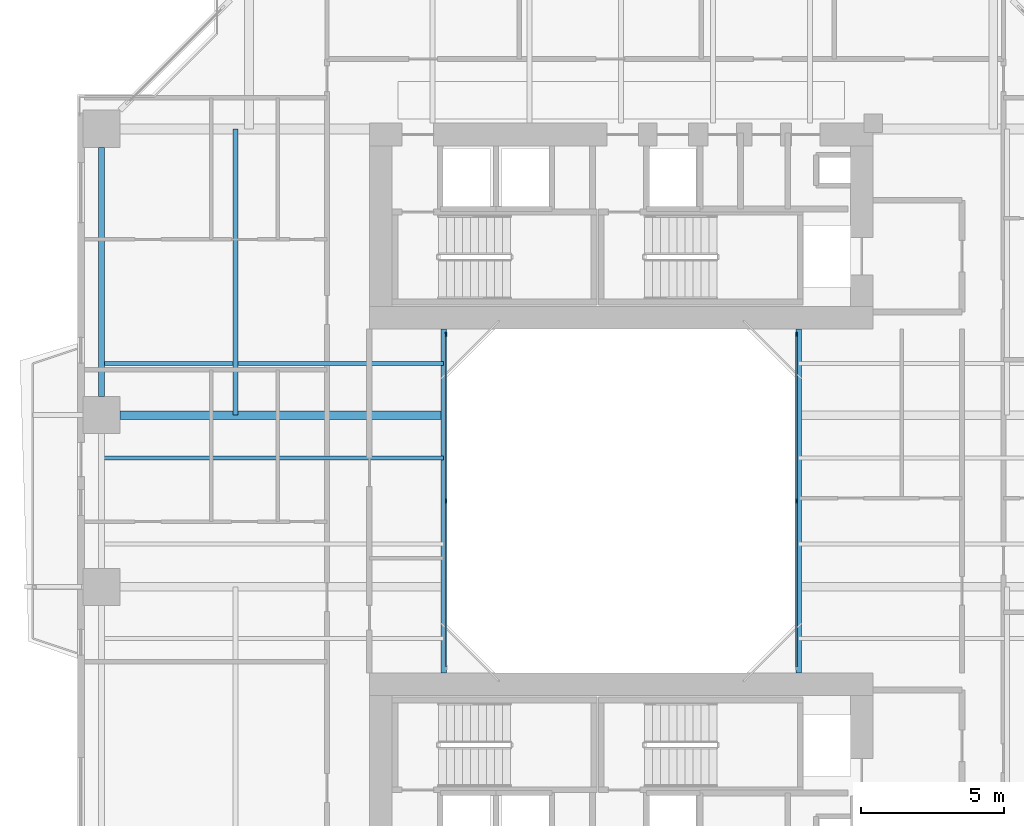
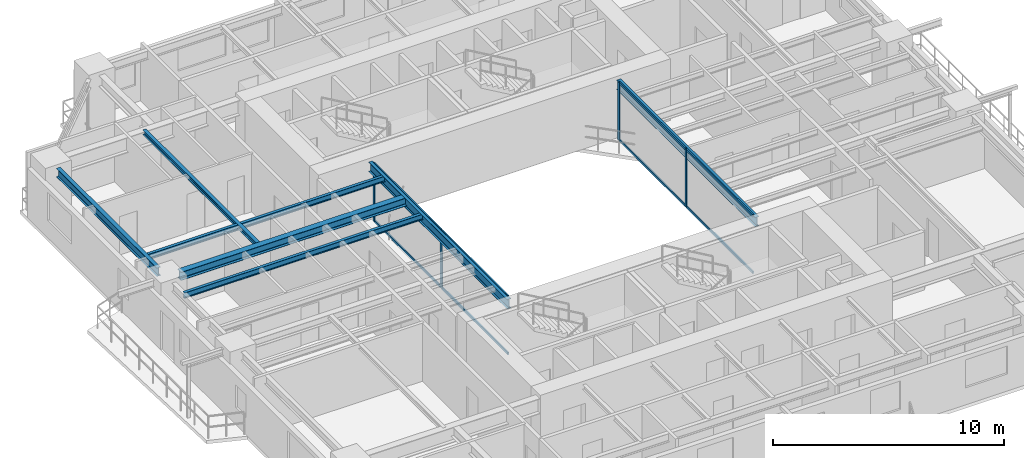
# One storey, part 4 of 23: 12 members, 7 beams, 2 elements without a shape of their own.
"""IFC4 building model written with IfcOpenShell, lengths in metres."""

from ifc_helpers import new_model, si_unit, direction, frame, origin, origin_2d, place, context, subcontext, project, spatial, rectangle, i_section, extrude, source, transform, mapped, material, layer, layer_set, material_profile, profile_set, type_object, element, aggregate, save


model = new_model("IFC4")

# Units and contexts
model_context = context("Model", 3, precision=1e-05, world=origin(), true_north=direction((0.0, 1.0)))
body_context = subcontext(model_context, "Body", "Model", "MODEL_VIEW")
ifc_project = project(units=[si_unit("LENGTHUNIT", "METRE"), si_unit("AREAUNIT", "SQUARE_METRE"), si_unit("VOLUMEUNIT", "CUBIC_METRE"), si_unit("PLANEANGLEUNIT", "RADIAN"), si_unit("MASSUNIT", "GRAM", prefix="KILO"), si_unit("THERMODYNAMICTEMPERATUREUNIT", "KELVIN"), si_unit("POWERUNIT", "WATT")], contexts=[model_context])

# Site, building, storey
site_placement = place(None, origin())
site = spatial("IfcSite", under=ifc_project, at=site_placement, CompositionType="ELEMENT")
building_placement = place(site_placement, origin())
building = spatial("IfcBuilding", under=site, at=building_placement, Name="Qiaomeng Ring Towers", CompositionType="ELEMENT")
storey_placement = place(building_placement, frame((0.0, 0.0, 39.25)))
storey = spatial("IfcBuildingStorey", under=building, at=storey_placement, Name="L10", CompositionType="ELEMENT", Elevation=39.25)

# Beams
ifc_material_1 = material(Name="Steel Q355B", Category="steel")
ifc_material_profile_1 = material_profile(ifc_material_1, i_section(OverallWidth=0.199951171875, OverallDepth=0.5, WebThickness=0.010009765625, FlangeThickness=0.01611328125, FilletRadius=0.02001953125, at=origin_2d()), Name="HN 500x200x10x16")
ifc_profile_set_1 = profile_set([ifc_material_profile_1], Name="Steel Q355B")
beam_type_1 = type_object("IfcBeamType", Name="STR-BM-HN500", PredefinedType="BEAM", material=ifc_profile_set_1)
shared_shape_1 = source(origin(), body_context, "Body", "SweptSolid", [
    extrude(i_section(OverallWidth=0.199951171875, OverallDepth=0.5, WebThickness=0.010009765625, FlangeThickness=0.01611328125, FilletRadius=0.02001953125, at=origin_2d()), origin(), (0.0, 0.0, 1.0), 12.0),
])
for number, where, z_axis, x_axis, name in (
    (1, (12.800048828125, 17.0, 2.820068359375), (0.0, 1.0, 0.0), (-1.0, 0.0, 0.0), "L10 beam STR-BM-L10-WELL-W"),
    (2, (25.199951171875, 17.0, 2.820068359375), (0.0, 1.0, 0.0), (-1.0, 0.0, 0.0), "L10 beam STR-BM-L10-WELL-E"),
):
    element("IfcBeam", number, at=place(storey_placement, frame(where, z_axis=z_axis, x_axis=x_axis)), inside=storey, type_object=beam_type_1, Name=name, PredefinedType="BEAM", context=body_context, shape_type="MappedRepresentation", body=[
        mapped(shared_shape_1, transform((0.0, 0.0, 0.0), x_axis=(1.0, 0.0, 0.0), y_axis=(0.0, 1.0, 0.0), z_axis=(0.0, 0.0, 1.0), scale=1.0)),
    ])
ifc_material_profile_2 = material_profile(ifc_material_1, i_section(OverallWidth=0.199951171875, OverallDepth=0.449951171875, WebThickness=0.009033203125, FlangeThickness=0.013916015625, FilletRadius=0.01806640625, at=origin_2d()), Name="HN 450x200x9x14")
ifc_profile_set_2 = profile_set([ifc_material_profile_2], Name="Steel Q355B")
beam_type_2 = type_object("IfcBeamType", Name="STR-BM-HN450", PredefinedType="SPANDREL", material=ifc_profile_set_2)
shared_shape_2 = source(origin(), body_context, "Body", "SweptSolid", [
    extrude(i_section(OverallWidth=0.199951171875, OverallDepth=0.449951171875, WebThickness=0.009033203125, FlangeThickness=0.013916015625, FilletRadius=0.01806640625, at=origin_2d()), origin(), (0.0, 0.0, 1.0), 8.7021484375),
])
beam_1_placement = place(storey_placement, frame((0.85009765625, 35.35107421875, 2.844970703125), z_axis=(0.0, -1.0, 0.0), x_axis=(1.0, 0.0, 0.0)))
element("IfcBeam", 3, at=beam_1_placement, inside=storey, type_object=beam_type_2, Name="L10 beam STR-SP-L10-T1-W4-W3", PredefinedType="SPANDREL", context=body_context, shape_type="MappedRepresentation", body=[
    mapped(shared_shape_2, transform((0.0, 0.0, 0.0), x_axis=(1.0, 0.0, 0.0), y_axis=(0.0, 1.0, 0.0), z_axis=(0.0, 0.0, 1.0), scale=1.0)),
])
ifc_material_profile_3 = material_profile(ifc_material_1, i_section(OverallWidth=0.300048828125, OverallDepth=0.43994140625, WebThickness=0.010986328125, FlangeThickness=0.01806640625, FilletRadius=0.02392578125, at=origin_2d()), Name="HM 440x300x11x18")
ifc_profile_set_3 = profile_set([ifc_material_profile_3], Name="Steel Q355B")
beam_type_3 = type_object("IfcBeamType", Name="STR-BM-HM440", PredefinedType="BEAM", material=ifc_profile_set_3)
shared_shape_3 = source(origin(), body_context, "Body", "SweptSolid", [
    extrude(i_section(OverallWidth=0.300048828125, OverallDepth=0.43994140625, WebThickness=0.010986328125, FlangeThickness=0.01806640625, FilletRadius=0.02392578125, at=origin_2d()), origin(), (0.0, 0.0, 1.0), 11.301025390625),
])
beam_2_placement = place(storey_placement, frame((1.4990234375, 26.0, 2.85009765625), z_axis=(1.0, 0.0, 0.0), x_axis=(0.0, 1.0, 0.0)))
element("IfcBeam", 4, at=beam_2_placement, inside=storey, type_object=beam_type_3, Name="L10 beam STR-BM-L10-T1-RAD-W3", PredefinedType="BEAM", context=body_context, shape_type="MappedRepresentation", body=[
    mapped(shared_shape_3, transform((0.0, 0.0, 0.0), x_axis=(1.0, 0.0, 0.0), y_axis=(0.0, 1.0, 0.0), z_axis=(0.0, 0.0, 1.0), scale=1.0)),
])
ifc_material_profile_4 = material_profile(ifc_material_1, i_section(OverallWidth=0.14990234375, OverallDepth=0.300048828125, WebThickness=0.006591796875, FlangeThickness=0.009033203125, FilletRadius=0.012939453125, at=origin_2d()), Name="HN 300x150x6.5x9")
ifc_profile_set_4 = profile_set([ifc_material_profile_4], Name="Steel Q355B")
beam_type_4 = type_object("IfcBeamType", Name="STR-BM-HN300", PredefinedType="JOIST", material=ifc_profile_set_4)
shared_shape_4 = source(origin(), body_context, "Body", "SweptSolid", [
    extrude(i_section(OverallWidth=0.14990234375, OverallDepth=0.300048828125, WebThickness=0.006591796875, FlangeThickness=0.009033203125, FilletRadius=0.012939453125, at=origin_2d()), origin(), (0.0, 0.0, 1.0), 11.949951171875),
])
for number, where, z_axis, x_axis, name in (
    (5, (0.85009765625, 24.5, 2.919921875), (1.0, 0.0, 0.0), (0.0, 1.0, 0.0), "L10 beam STR-JST-L10-T1W-3"),
    (6, (0.85009765625, 27.800048828125, 2.919921875), (1.0, 0.0, 0.0), (0.0, 1.0, 0.0), "L10 beam STR-JST-L10-T1W-4"),
):
    element("IfcBeam", number, at=place(storey_placement, frame(where, z_axis=z_axis, x_axis=x_axis)), inside=storey, type_object=beam_type_4, Name=name, PredefinedType="JOIST", context=body_context, shape_type="MappedRepresentation", body=[
        mapped(shared_shape_4, transform((0.0, 0.0, 0.0), x_axis=(1.0, 0.0, 0.0), y_axis=(0.0, 1.0, 0.0), z_axis=(0.0, 0.0, 1.0), scale=1.0)),
    ])
ifc_material_profile_5 = material_profile(ifc_material_1, i_section(OverallWidth=0.175048828125, OverallDepth=0.243896484375, WebThickness=0.007080078125, FlangeThickness=0.010986328125, FilletRadius=0.01611328125, at=origin_2d()), Name="HM 244x175x7x11")
ifc_profile_set_5 = profile_set([ifc_material_profile_5], Name="Steel Q355B")
beam_type_5 = type_object("IfcBeamType", Name="STR-BM-HM244", PredefinedType="JOIST", material=ifc_profile_set_5)
shared_shape_5 = source(origin(), body_context, "Body", "SweptSolid", [
    extrude(i_section(OverallWidth=0.175048828125, OverallDepth=0.243896484375, WebThickness=0.007080078125, FlangeThickness=0.010986328125, FilletRadius=0.01611328125, at=origin_2d()), origin(), (0.0, 0.0, 1.0), 10.0),
])
beam_3_placement = place(storey_placement, frame((5.52490234375, 26.0, 2.947998046875), z_axis=(0.0, 1.0, 0.0), x_axis=(-1.0, 0.0, 0.0)))
element("IfcBeam", 7, at=beam_3_placement, inside=storey, type_object=beam_type_5, Name="L10 beam STR-JST-L10-T1C-WN", PredefinedType="JOIST", context=body_context, shape_type="MappedRepresentation", body=[
    mapped(shared_shape_5, transform((0.0, 0.0, 0.0), x_axis=(1.0, 0.0, 0.0), y_axis=(0.0, 1.0, 0.0), z_axis=(0.0, 0.0, 1.0), scale=1.0)),
])

# Curtain wall, members
ifc_material_2 = material(Name="Fluorocarbon dark-grey aluminium", Category="aluminium")
ifc_layer = layer(ifc_material_2, 0.139892578125, Name="Fluorocarbon dark-grey aluminium")
ifc_layer_set = layer_set([ifc_layer], Name="Fluorocarbon dark-grey aluminium")
curtain_wall_type = type_object("IfcCurtainWallType", Name="ARC-CW-4", PredefinedType="NOTDEFINED", material=ifc_layer_set)
curtain_wall_1_placement = place(storey_placement, origin())
curtain_wall_1 = element("IfcCurtainWall", 8, at=curtain_wall_1_placement, inside=storey, type_object=curtain_wall_type, Name="L10 Curtain Wall CW4", PredefinedType="NOTDEFINED")
ifc_material_profile_6 = material_profile(ifc_material_2, rectangle(XDim=0.06494140625, YDim=0.159912109375, at=origin_2d()), Name="ALU MULL 65x160")
ifc_profile_set_6 = profile_set([ifc_material_profile_6], Name="Fluorocarbon dark-grey aluminium")
member_type_1 = type_object("IfcMemberType", Name="ARC-CWM-140", PredefinedType="MULLION", material=ifc_profile_set_6)
shared_shape_6 = source(origin(), body_context, "Body", "SweptSolid", [
    extrude(rectangle(XDim=0.06494140625, YDim=0.159912109375, at=origin_2d()), origin(), (0.0, 0.0, 1.0), 3.070068359375),
])
member_1_placement = place(storey_placement, frame((12.8798828125, 23.0, 0.0), z_axis=(0.0, 0.0, 1.0), x_axis=(-1.0, 0.0, 0.0)))
member_1 = element("IfcMember", 9, at=member_1_placement, type_object=member_type_1, Name="CW4 mullion 2", PredefinedType="MULLION", context=body_context, shape_type="MappedRepresentation", body=[
    mapped(shared_shape_6, transform((0.0, 0.0, 0.0), x_axis=(1.0, 0.0, 0.0), y_axis=(0.0, 1.0, 0.0), z_axis=(0.0, 0.0, 1.0), scale=1.0)),
])
member_2_placement = place(storey_placement, frame((12.8798828125, 28.8173828125, 0.0), z_axis=(0.0, 0.0, 1.0), x_axis=(-1.0, 0.0, 0.0)))
member_2 = element("IfcMember", 10, at=member_2_placement, type_object=member_type_1, Name="CW4 mullion 3", PredefinedType="MULLION", context=body_context, shape_type="MappedRepresentation", body=[
    mapped(shared_shape_6, transform((0.0, 0.0, 0.0), x_axis=(1.0, 0.0, 0.0), y_axis=(0.0, 1.0, 0.0), z_axis=(0.0, 0.0, 1.0), scale=1.0)),
])

curtain_wall_2_placement = place(storey_placement, origin())
curtain_wall_2 = element("IfcCurtainWall", 11, at=curtain_wall_2_placement, inside=storey, type_object=curtain_wall_type, Name="L10 Curtain Wall CW4", PredefinedType="NOTDEFINED")
member_3_placement = place(storey_placement, frame((25.1201171875, 23.0, 0.0), z_axis=(0.0, 0.0, 1.0), x_axis=(-1.0, 0.0, 0.0)))
member_3 = element("IfcMember", 12, at=member_3_placement, type_object=member_type_1, Name="CW4 mullion 2", PredefinedType="MULLION", context=body_context, shape_type="MappedRepresentation", body=[
    mapped(shared_shape_6, transform((0.0, 0.0, 0.0), x_axis=(1.0, 0.0, 0.0), y_axis=(0.0, 1.0, 0.0), z_axis=(0.0, 0.0, 1.0), scale=1.0)),
])
member_4_placement = place(storey_placement, frame((25.1201171875, 28.8173828125, 0.0), z_axis=(0.0, 0.0, 1.0), x_axis=(-1.0, 0.0, 0.0)))
member_4 = element("IfcMember", 13, at=member_4_placement, type_object=member_type_1, Name="CW4 mullion 3", PredefinedType="MULLION", context=body_context, shape_type="MappedRepresentation", body=[
    mapped(shared_shape_6, transform((0.0, 0.0, 0.0), x_axis=(1.0, 0.0, 0.0), y_axis=(0.0, 1.0, 0.0), z_axis=(0.0, 0.0, 1.0), scale=1.0)),
])

# Member
ifc_material_profile_7 = material_profile(ifc_material_2, rectangle(XDim=0.06494140625, YDim=0.1298828125, at=origin_2d()), Name="ALU TRAN 65x130")
ifc_profile_set_7 = profile_set([ifc_material_profile_7], Name="Fluorocarbon dark-grey aluminium")
member_type_2 = type_object("IfcMemberType", Name="ARC-CWT-120", PredefinedType="USERDEFINED", material=ifc_profile_set_7)
shared_shape_7 = source(origin(), body_context, "Body", "SweptSolid", [
    extrude(rectangle(XDim=0.06494140625, YDim=0.1298828125, at=origin_2d()), origin(), (0.0, 0.0, 1.0), 5.75244140625),
])
member_5_placement = place(storey_placement, frame((12.8798828125, 17.215087890625, 0.032470703125), z_axis=(0.0, 1.0, 0.0), x_axis=(-1.0, 0.0, 0.0)))
member_5 = element("IfcMember", 14, at=member_5_placement, type_object=member_type_2, Name="CW4 transom 1.1", ObjectType="TRANSOM", PredefinedType="USERDEFINED", context=body_context, shape_type="MappedRepresentation", body=[
    mapped(shared_shape_7, transform((0.0, 0.0, 0.0), x_axis=(1.0, 0.0, 0.0), y_axis=(0.0, 1.0, 0.0), z_axis=(0.0, 0.0, 1.0), scale=1.0)),
])

member_6_placement = place(storey_placement, frame((12.8798828125, 17.215087890625, 3.03759765625), z_axis=(0.0, 1.0, 0.0), x_axis=(-1.0, 0.0, 0.0)))
member_6 = element("IfcMember", 15, at=member_6_placement, type_object=member_type_2, Name="CW4 transom 1.2", ObjectType="TRANSOM", PredefinedType="USERDEFINED", context=body_context, shape_type="MappedRepresentation", body=[
    mapped(shared_shape_7, transform((0.0, 0.0, 0.0), x_axis=(1.0, 0.0, 0.0), y_axis=(0.0, 1.0, 0.0), z_axis=(0.0, 0.0, 1.0), scale=1.0)),
])

member_7_placement = place(storey_placement, frame((12.8798828125, 23.032470703125, 0.032470703125), z_axis=(0.0, 1.0, 0.0), x_axis=(-1.0, 0.0, 0.0)))
member_7 = element("IfcMember", 16, at=member_7_placement, type_object=member_type_2, Name="CW4 transom 2.1", ObjectType="TRANSOM", PredefinedType="USERDEFINED", context=body_context, shape_type="MappedRepresentation", body=[
    mapped(shared_shape_7, transform((0.0, 0.0, 0.0), x_axis=(1.0, 0.0, 0.0), y_axis=(0.0, 1.0, 0.0), z_axis=(0.0, 0.0, 1.0), scale=1.0)),
])

member_8_placement = place(storey_placement, frame((12.8798828125, 23.032470703125, 3.03759765625), z_axis=(0.0, 1.0, 0.0), x_axis=(-1.0, 0.0, 0.0)))
member_8 = element("IfcMember", 17, at=member_8_placement, type_object=member_type_2, Name="CW4 transom 2.2", ObjectType="TRANSOM", PredefinedType="USERDEFINED", context=body_context, shape_type="MappedRepresentation", body=[
    mapped(shared_shape_7, transform((0.0, 0.0, 0.0), x_axis=(1.0, 0.0, 0.0), y_axis=(0.0, 1.0, 0.0), z_axis=(0.0, 0.0, 1.0), scale=1.0)),
])

aggregate(curtain_wall_1, [member_1, member_2, member_5, member_6, member_7, member_8])

member_9_placement = place(storey_placement, frame((25.1201171875, 17.215087890625, 0.032470703125), z_axis=(0.0, 1.0, 0.0), x_axis=(-1.0, 0.0, 0.0)))
member_9 = element("IfcMember", 18, at=member_9_placement, type_object=member_type_2, Name="CW4 transom 1.1", ObjectType="TRANSOM", PredefinedType="USERDEFINED", context=body_context, shape_type="MappedRepresentation", body=[
    mapped(shared_shape_7, transform((0.0, 0.0, 0.0), x_axis=(1.0, 0.0, 0.0), y_axis=(0.0, 1.0, 0.0), z_axis=(0.0, 0.0, 1.0), scale=1.0)),
])

member_10_placement = place(storey_placement, frame((25.1201171875, 17.215087890625, 3.03759765625), z_axis=(0.0, 1.0, 0.0), x_axis=(-1.0, 0.0, 0.0)))
member_10 = element("IfcMember", 19, at=member_10_placement, type_object=member_type_2, Name="CW4 transom 1.2", ObjectType="TRANSOM", PredefinedType="USERDEFINED", context=body_context, shape_type="MappedRepresentation", body=[
    mapped(shared_shape_7, transform((0.0, 0.0, 0.0), x_axis=(1.0, 0.0, 0.0), y_axis=(0.0, 1.0, 0.0), z_axis=(0.0, 0.0, 1.0), scale=1.0)),
])

member_11_placement = place(storey_placement, frame((25.1201171875, 23.032470703125, 0.032470703125), z_axis=(0.0, 1.0, 0.0), x_axis=(-1.0, 0.0, 0.0)))
member_11 = element("IfcMember", 20, at=member_11_placement, type_object=member_type_2, Name="CW4 transom 2.1", ObjectType="TRANSOM", PredefinedType="USERDEFINED", context=body_context, shape_type="MappedRepresentation", body=[
    mapped(shared_shape_7, transform((0.0, 0.0, 0.0), x_axis=(1.0, 0.0, 0.0), y_axis=(0.0, 1.0, 0.0), z_axis=(0.0, 0.0, 1.0), scale=1.0)),
])

member_12_placement = place(storey_placement, frame((25.1201171875, 23.032470703125, 3.03759765625), z_axis=(0.0, 1.0, 0.0), x_axis=(-1.0, 0.0, 0.0)))
member_12 = element("IfcMember", 21, at=member_12_placement, type_object=member_type_2, Name="CW4 transom 2.2", ObjectType="TRANSOM", PredefinedType="USERDEFINED", context=body_context, shape_type="MappedRepresentation", body=[
    mapped(shared_shape_7, transform((0.0, 0.0, 0.0), x_axis=(1.0, 0.0, 0.0), y_axis=(0.0, 1.0, 0.0), z_axis=(0.0, 0.0, 1.0), scale=1.0)),
])

aggregate(curtain_wall_2, [member_3, member_4, member_9, member_10, member_11, member_12])

save(model, "model.ifc")
